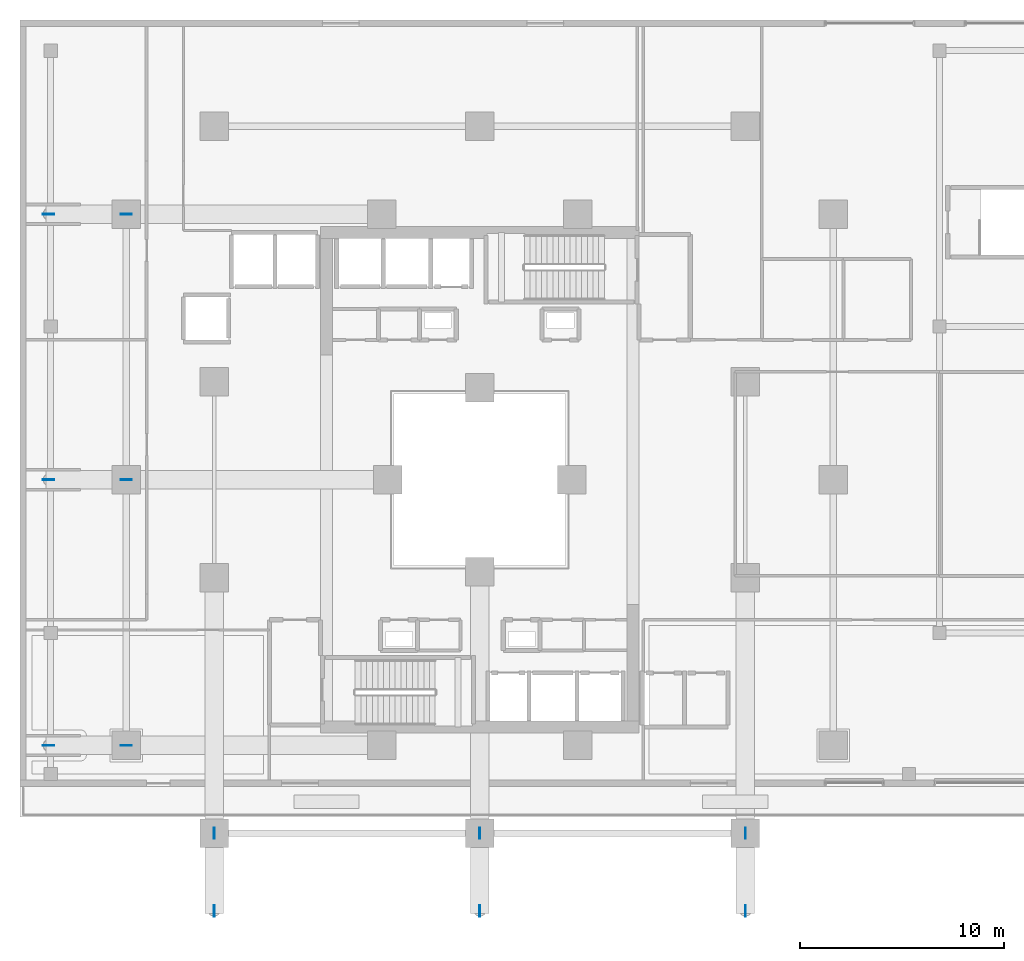
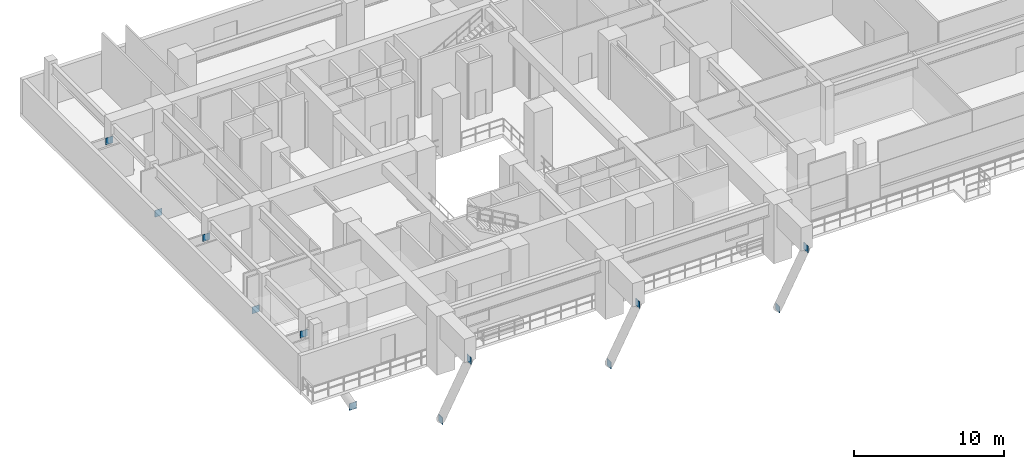
# One storey, part 12 of 25: 12 plates.
"""IFC4 building model written with IfcOpenShell, lengths in metres."""

from ifc_helpers import new_model, si_unit, direction, frame, origin, origin_2d, place, context, subcontext, project, spatial, rectangle, extrude, material, layer, layer_set, type_object, element, save


model = new_model("IFC4")

# Units and contexts
model_context = context("Model", 3, precision=1e-05, world=origin(), true_north=direction((0.0, 1.0)))
body_context = subcontext(model_context, "Body", "Model", "MODEL_VIEW")
ifc_project = project(units=[si_unit("LENGTHUNIT", "METRE"), si_unit("AREAUNIT", "SQUARE_METRE"), si_unit("VOLUMEUNIT", "CUBIC_METRE"), si_unit("PLANEANGLEUNIT", "RADIAN"), si_unit("MASSUNIT", "GRAM", prefix="KILO")], contexts=[model_context])

# Site, building, storey
site_placement = place(None, origin())
site = spatial("IfcSite", under=ifc_project, at=site_placement, CompositionType="ELEMENT")
building_placement = place(site_placement, origin())
building = spatial("IfcBuilding", under=site, at=building_placement, Name="Thornwick Lancets Civic Towers", CompositionType="ELEMENT")
storey_placement = place(building_placement, frame((0.0, 0.0, 23.10009765625)))
storey = spatial("IfcBuildingStorey", under=building, at=storey_placement, Name="L05", CompositionType="ELEMENT", Elevation=23.10009765625)

# Plates
ifc_material = material(Name="Steel S460M", Category="steel")
ifc_layer = layer(ifc_material, 0.0400390625, Name="Steel S460M")
ifc_layer_set = layer_set([ifc_layer], Name="Steel S460M")
plate_type = type_object("IfcPlateType", Name="PLT_GUSSET_40", PredefinedType="USERDEFINED", material=ifc_layer_set)
for number, where, z_axis, x_axis, name in (
    (1, (12.5, 9.699951171875, -4.52490234375), (0.0, 0.0, 1.0), (0.0, -1.0, 0.0), "L05 Brace Connection Gusset Plate 0001"),
    (2, (12.5, 5.89990234375, 2.705078125), (0.0, 0.0, 1.0), (0.0, -1.0, 0.0), "L05 Brace Connection Gusset Plate 0002"),
    (3, (25.5, 9.699951171875, -4.52490234375), (0.0, 0.0, 1.0), (0.0, -1.0, 0.0), "L05 Brace Connection Gusset Plate 0003"),
    (4, (25.5, 5.89990234375, 2.705078125), (0.0, 0.0, 1.0), (0.0, -1.0, 0.0), "L05 Brace Connection Gusset Plate 0004"),
    (5, (38.5, 9.699951171875, -4.52490234375), (0.0, 0.0, 1.0), (0.0, -1.0, 0.0), "L05 Brace Connection Gusset Plate 0005"),
    (6, (38.5, 5.89990234375, 2.705078125), (0.0, 0.0, 1.0), (0.0, -1.0, 0.0), "L05 Brace Connection Gusset Plate 0006"),
    (7, (8.199951171875, 14.0, -4.52490234375), (0.0, 0.0, 1.0), (-1.0, 0.0, 0.0), "L05 Brace Connection Gusset Plate 0007"),
    (8, (4.39990234375, 14.0, 2.705078125), (0.0, 0.0, 1.0), (-1.0, 0.0, 0.0), "L05 Brace Connection Gusset Plate 0008"),
    (9, (8.199951171875, 27.0, -4.52490234375), (0.0, 0.0, 1.0), (-1.0, 0.0, 0.0), "L05 Brace Connection Gusset Plate 0009"),
    (10, (4.39990234375, 27.0, 2.705078125), (0.0, 0.0, 1.0), (-1.0, 0.0, 0.0), "L05 Brace Connection Gusset Plate 0010"),
    (11, (8.199951171875, 40.0, -4.52490234375), (0.0, 0.0, 1.0), (-1.0, 0.0, 0.0), "L05 Brace Connection Gusset Plate 0011"),
    (12, (4.39990234375, 40.0, 2.705078125), (0.0, 0.0, 1.0), (-1.0, 0.0, 0.0), "L05 Brace Connection Gusset Plate 0012"),
):
    element("IfcPlate", number, at=place(storey_placement, frame(where, z_axis=z_axis, x_axis=x_axis)), inside=storey, type_object=plate_type, Name=name, ObjectType="GUSSET_PLATE", PredefinedType="USERDEFINED", context=body_context, shape_type="SweptSolid", body=[
        extrude(rectangle(XDim=0.550048828125, YDim=0.0400390625, at=origin_2d()), origin(), (0.0, 0.0, 1.0), 0.550048828125),
    ])

save(model, "model.ifc")
